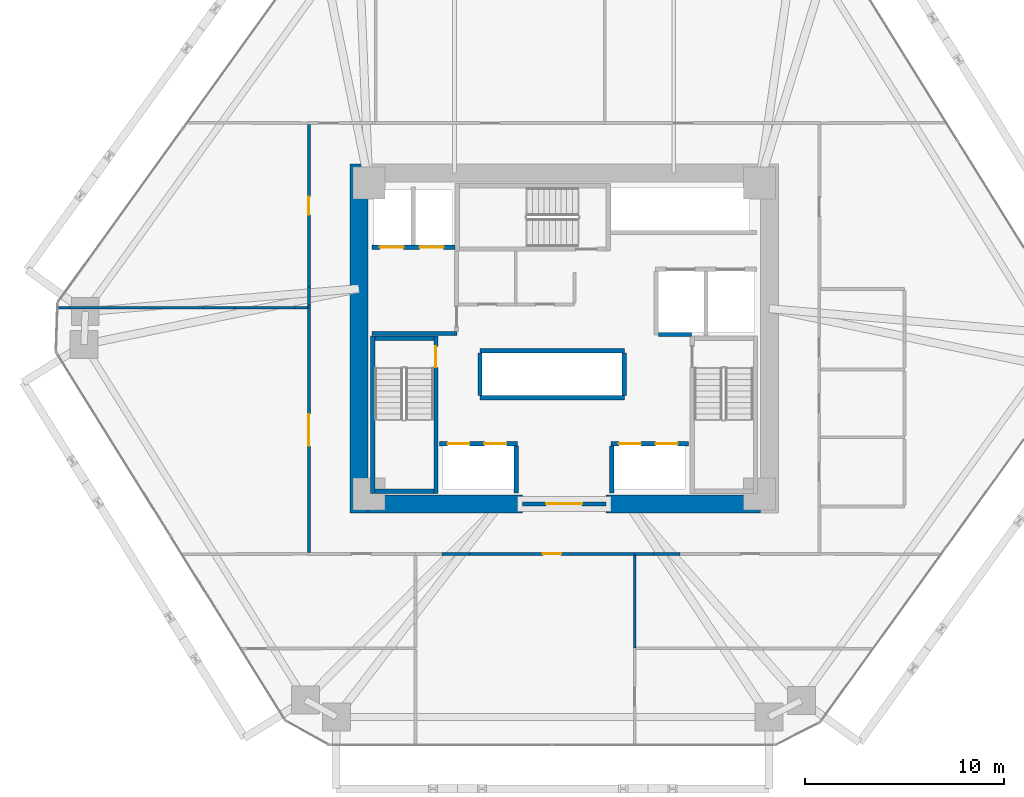
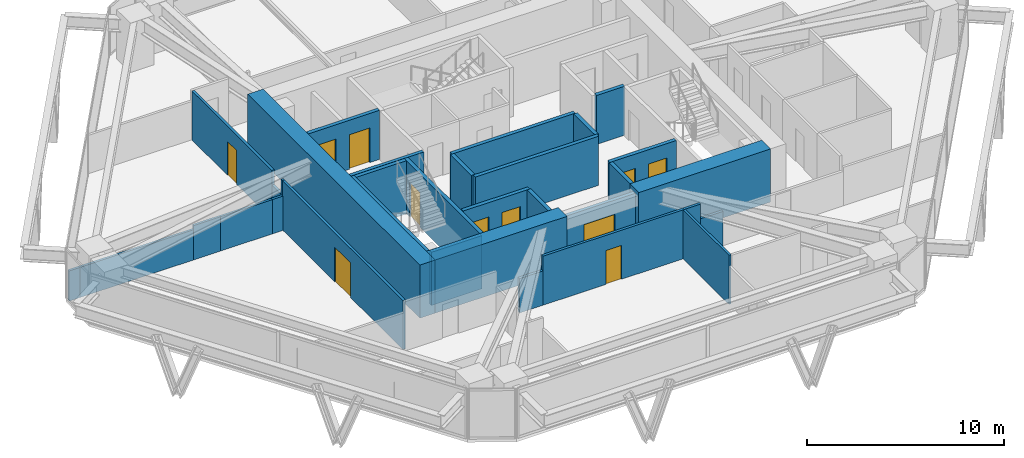
# One storey, part 11 of 14: 33 walls, 11 doors, 11 openings.
"""IFC4 building model written with IfcOpenShell, lengths in metres."""

from ifc_helpers import new_model, si_unit, direction, frame, frame_2d, origin, place, context, subcontext, project, spatial, rectangle, extrude, source, transform, mapped, material, layer, layer_set, type_object, type_shapes, element, fill, save


model = new_model("IFC4")

# Units and contexts
model_context = context("Model", 3, precision=1e-05, world=origin(), true_north=direction((0.0, 1.0)))
body_context = subcontext(model_context, "Body", "Model", "MODEL_VIEW")
ifc_project = project(units=[si_unit("LENGTHUNIT", "METRE"), si_unit("AREAUNIT", "SQUARE_METRE"), si_unit("VOLUMEUNIT", "CUBIC_METRE"), si_unit("PLANEANGLEUNIT", "RADIAN"), si_unit("MASSUNIT", "GRAM", prefix="KILO")], contexts=[model_context])

# Site, building, storey
site_placement = place(None, origin())
site = spatial("IfcSite", under=ifc_project, at=site_placement, CompositionType="ELEMENT")
building_placement = place(site_placement, origin())
building = spatial("IfcBuilding", under=site, at=building_placement, Name="Durnholm Broadcast Tower", CompositionType="ELEMENT")
storey_placement = place(building_placement, frame((0.0, 0.0, 48.89990234375)))
storey = spatial("IfcBuildingStorey", under=building, at=storey_placement, Name="L11", CompositionType="ELEMENT", Elevation=48.89990234375)

# Walls
ifc_material_1 = material(Name="Concrete C70/85", Category="concrete")
ifc_layer_1 = layer(ifc_material_1, 0.89990234375)
ifc_layer_set_1 = layer_set([ifc_layer_1], Name="Concrete C70/85")
wall_type_1 = type_object("IfcWallType", Name="WALL-CW-900", PredefinedType="SHEAR", material=ifc_layer_set_1)
wall_1_placement = place(storey_placement, frame((-10.300048828125, -8.75, 0.0), z_axis=(0.0, 0.0, 1.0), x_axis=(0.0, 1.0, 0.0)))
element("IfcWall", 1, at=wall_1_placement, inside=storey, type_object=wall_type_1, Name="L11 central core shear wall CW-WEST", PredefinedType="SHEAR", context=body_context, shape_type="SweptSolid", body=[
    extrude(rectangle(XDim=17.5, YDim=0.89990234375, at=frame_2d((8.75, 0.0))), origin(), (0.0, 0.0, 1.0), 3.300048828125),
])
for number, where, z_axis, x_axis, name in (
    (2, (-9.85009765625, -8.300048828125, 0.0), (0.0, 0.0, 1.0), (1.0, 0.0, 0.0), "L11 central core shear wall CW-S1"),
    (3, (2.10009765625, -8.300048828125, 0.0), (0.0, 0.0, 1.0), (1.0, 0.0, 0.0), "L11 central core shear wall CW-S2"),
):
    element("IfcWall", number, at=place(storey_placement, frame(where, z_axis=z_axis, x_axis=x_axis)), inside=storey, type_object=wall_type_1, Name=name, PredefinedType="SHEAR", context=body_context, shape_type="SweptSolid", body=[
        extrude(rectangle(XDim=7.75, YDim=0.89990234375, at=frame_2d((3.875, 0.0))), origin(), (0.0, 0.0, 1.0), 3.300048828125),
    ])

# Wall, opening, door
ifc_material_2 = material(Name="Fire-Rated Gypsum Shaftwall", Category="concrete")
ifc_layer_2 = layer(ifc_material_2, 0.199951171875)
ifc_layer_set_2 = layer_set([ifc_layer_2], Name="Fire-Rated Gypsum Shaftwall")
wall_type_2 = type_object("IfcWallType", Name="WALL-LOB-200", PredefinedType="SOLIDWALL", material=ifc_layer_set_2)
wall_2_placement = place(storey_placement, frame((-2.10009765625, -8.300048828125, 0.0), z_axis=(0.0, 0.0, 1.0), x_axis=(1.0, 0.0, 0.0)))
wall_2 = element("IfcWall", 4, at=wall_2_placement, inside=storey, type_object=wall_type_2, Name="L11 south core lobby fire screen", PredefinedType="SOLIDWALL", context=body_context, shape_type="SweptSolid", body=[
    extrude(rectangle(XDim=4.2001953125, YDim=0.199951171875, at=frame_2d((2.10009765625, 0.0))), origin(), (0.0, 0.0, 1.0), 3.045166015625),
])
opening_1_placement = place(wall_2_placement, frame((1.199951171875, 0.0, 0.0)))
opening_1 = element("IfcOpeningElement", 5, at=opening_1_placement, cuts=wall_2, Name="Opening DP-60", PredefinedType="OPENING", context=body_context, shape_type="SweptSolid", body=[
    extrude(rectangle(XDim=1.800048828125, YDim=2.14990234375, at=frame_2d((0.89990234375, 1.074951171875))), frame((0.0, 0.10986328125, 0.0), z_axis=(0.0, -1.0, 0.0), x_axis=(1.0, 0.0, 0.0)), (0.0, 0.0, 1.0), 0.219970703125),
])
ifc_material_3 = material(Name="Fire-Rated Double Corridor Door", Category="steel")
ifc_layer_3 = layer(ifc_material_3, 0.050048828125)
ifc_layer_set_3 = layer_set([ifc_layer_3], Name="Fire-Rated Double Corridor Door")
door_type_1 = type_object("IfcDoorType", Name="DOOR-PAIR-FD60", OperationType="DOUBLE_DOOR_SINGLE_SWING", PredefinedType="DOOR", material=ifc_layer_set_3)
shared_shape_1 = source(origin(), body_context, "Body", "SweptSolid", [
    extrude(rectangle(XDim=1.800048828125, YDim=2.14990234375, at=frame_2d((0.89990234375, 1.074951171875))), frame((0.0, 0.02490234375, 0.0), z_axis=(0.0, -1.0, 0.0), x_axis=(1.0, 0.0, 0.0)), (0.0, 0.0, 1.0), 0.050048828125),
])
type_shapes(door_type_1, [shared_shape_1])
door_1_placement = place(opening_1_placement, origin())
door_1 = element("IfcDoor", 6, at=door_1_placement, inside=storey, type_object=door_type_1, Name="L11 south core lobby double fire door", OperationType="DOUBLE_DOOR_SINGLE_SWING", OverallHeight=2.14990234375, OverallWidth=1.800048828125, PredefinedType="DOOR", context=body_context, shape_type="MappedRepresentation", body=[
    mapped(shared_shape_1, transform((0.0, 0.0, 0.0), x_axis=(1.0, 0.0, 0.0), y_axis=(0.0, 1.0, 0.0), z_axis=(0.0, 0.0, 1.0), scale=1.0)),
])
fill(opening_1, door_1)

# Walls
wall_3_placement = place(storey_placement, frame((-9.64990234375, 0.25, 0.0), z_axis=(0.0, 0.0, 1.0), x_axis=(1.0, 0.0, 0.0)))
element("IfcWall", 7, at=wall_3_placement, inside=storey, type_object=wall_type_2, Name="L11 Fire Service Access Elevator lobby south wall", PredefinedType="SOLIDWALL", context=body_context, shape_type="SweptSolid", body=[
    extrude(rectangle(XDim=4.27001953125, YDim=0.199951171875, at=frame_2d((2.135009765625, 0.0))), origin(), (0.0, 0.0, 1.0), 3.045166015625),
])
ifc_material_4 = material(Name="Gypsum Metal Stud Partition", Category="concrete")
ifc_layer_4 = layer(ifc_material_4, 0.135009765625)
ifc_layer_set_4 = layer_set([ifc_layer_4], Name="Gypsum Metal Stud Partition")
wall_type_3 = type_object("IfcWallType", Name="WALL-PART-135", PredefinedType="PARTITIONING", material=ifc_layer_set_4)
wall_4_placement = place(storey_placement, frame((3.5400390625, -10.888916015625, 0.0), z_axis=(0.0, 0.0, 1.0), x_axis=(0.0, -1.0, 0.0)))
element("IfcWall", 8, at=wall_4_placement, inside=storey, type_object=wall_type_3, Name="L11 room dividing partition 11.13", PredefinedType="PARTITIONING", context=body_context, shape_type="SweptSolid", body=[
    extrude(rectangle(XDim=4.656005859375, YDim=0.135009765625, at=frame_2d((2.328125, 0.0))), origin(), (0.0, 0.0, 1.0), 3.045166015625),
])
wall_5_placement = place(storey_placement, frame((-25.42919921875, 1.54150390625, 0.0), z_axis=(0.0, 0.0, 1.0), x_axis=(0.999999923706, -0.00039062497, 0.0)))
element("IfcWall", 9, at=wall_5_placement, inside=storey, type_object=wall_type_3, Name="L11 room dividing partition 14.15", PredefinedType="PARTITIONING", context=body_context, shape_type="SweptSolid", body=[
    extrude(rectangle(XDim=0.625, YDim=0.135009765625, at=frame_2d((0.3125, 0.0))), origin(), (0.0, 0.0, 1.0), 1.877197265625),
])
wall_6_placement = place(storey_placement, frame((-18.12060546875, 1.54052734375, 0.0), z_axis=(0.0, 0.0, 1.0), x_axis=(0.999999988, -0.000154918666, 0.0)))
element("IfcWall", 10, at=wall_6_placement, inside=storey, type_object=wall_type_3, Name="L11 room dividing partition 14.15", PredefinedType="PARTITIONING", context=body_context, shape_type="SweptSolid", body=[
    extrude(rectangle(XDim=1.575927734375, YDim=0.135009765625, at=frame_2d((0.7880859375, 0.0))), origin(), (0.0, 0.0, 1.0), 2.130126953125),
])
wall_7_placement = place(storey_placement, frame((-13.510498046875, 1.5400390625, 0.0), z_axis=(0.0, 0.0, 1.0), x_axis=(1.0, 0.0, 0.0)))
element("IfcWall", 11, at=wall_7_placement, inside=storey, type_object=wall_type_3, Name="L11 room dividing partition 14.15", PredefinedType="PARTITIONING", context=body_context, shape_type="SweptSolid", body=[
    extrude(rectangle(XDim=0.62158203125, YDim=0.135009765625, at=frame_2d((0.310791015625, 0.0))), origin(), (0.0, 0.0, 1.0), 2.130126953125),
])
wall_8_placement = place(storey_placement, frame((-24.80419921875, 1.541259765625, 0.0), z_axis=(0.0, 0.0, 1.0), x_axis=(0.999999993996, -0.000109585037, 0.0)))
element("IfcWall", 12, at=wall_8_placement, inside=storey, type_object=wall_type_3, Name="L11 room dividing partition 14.15", PredefinedType="PARTITIONING", context=body_context, shape_type="SweptSolid", body=[
    extrude(rectangle(XDim=6.68359375, YDim=0.135009765625, at=frame_2d((3.341796875, 0.0))), origin(), (0.0, 0.0, 1.0), 1.877197265625),
])
wall_9_placement = place(storey_placement, frame((-16.544677734375, 1.540283203125, 0.0), z_axis=(0.0, 0.0, 1.0), x_axis=(0.999999996763, -8.0463469e-05, 0.0)))
element("IfcWall", 13, at=wall_9_placement, inside=storey, type_object=wall_type_3, Name="L11 room dividing partition 14.15", PredefinedType="PARTITIONING", context=body_context, shape_type="SweptSolid", body=[
    extrude(rectangle(XDim=3.0341796875, YDim=0.135009765625, at=frame_2d((1.51708984375, 0.0))), origin(), (0.0, 0.0, 1.0), 2.130126953125),
])

# Wall, opening, door
ifc_material_5 = material(Name="Acoustic Gypsum Stud Partition", Category="concrete")
ifc_layer_5 = layer(ifc_material_5, 0.14990234375)
ifc_layer_set_5 = layer_set([ifc_layer_5], Name="Acoustic Gypsum Stud Partition")
wall_type_4 = type_object("IfcWallType", Name="WALL-PART-150", PredefinedType="PARTITIONING", material=ifc_layer_set_5)
wall_10_placement = place(storey_placement, frame((-4.749755859375, -10.81005859375, 0.0), z_axis=(0.0, 0.0, 1.0), x_axis=(1.0, 0.0, 0.0)))
wall_10 = element("IfcWall", 14, at=wall_10_placement, inside=storey, type_object=wall_type_4, Name="L11 Commentary Lounge corridor partition", PredefinedType="PARTITIONING", context=body_context, shape_type="SweptSolid", body=[
    extrude(rectangle(XDim=8.289794921875, YDim=0.14990234375, at=frame_2d((4.14501953125, 0.0))), origin(), (0.0, 0.0, 1.0), 3.045166015625),
])
opening_2_placement = place(wall_10_placement, frame((3.684814453125, 0.0, 0.0)))
opening_2 = element("IfcOpeningElement", 15, at=opening_2_placement, cuts=wall_10, Name="Opening DR-92L", PredefinedType="OPENING", context=body_context, shape_type="SweptSolid", body=[
    extrude(rectangle(XDim=0.919921875, YDim=2.10009765625, at=frame_2d((0.4599609375, 1.050048828125))), frame((0.0, 0.0849609375, 0.0), z_axis=(0.0, -1.0, 0.0), x_axis=(1.0, 0.0, 0.0)), (0.0, 0.0, 1.0), 0.169921875),
])
ifc_material_6 = material(Name="Oak Veneer Office Door", Category="wood")
ifc_layer_6 = layer(ifc_material_6, 0.050048828125)
ifc_layer_set_6 = layer_set([ifc_layer_6], Name="Oak Veneer Office Door")
door_type_2 = type_object("IfcDoorType", Name="DOOR-RM-920L", OperationType="NOTDEFINED", PredefinedType="DOOR", material=ifc_layer_set_6)
shared_shape_2 = source(origin(), body_context, "Body", "SweptSolid", [
    extrude(rectangle(XDim=0.919921875, YDim=2.10009765625, at=frame_2d((0.4599609375, 1.050048828125))), frame((0.0, 0.02490234375, 0.0), z_axis=(0.0, -1.0, 0.0), x_axis=(1.0, 0.0, 0.0)), (0.0, 0.0, 1.0), 0.050048828125),
])
type_shapes(door_type_2, [shared_shape_2])
door_2_placement = place(opening_2_placement, origin())
door_2 = element("IfcDoor", 16, at=door_2_placement, inside=storey, type_object=door_type_2, Name="L11 Commentary Lounge entrance door", OperationType="SINGLE_SWING_LEFT", OverallHeight=2.10009765625, OverallWidth=0.919921875, PredefinedType="DOOR", context=body_context, shape_type="MappedRepresentation", body=[
    mapped(shared_shape_2, transform((0.0, 0.0, 0.0), x_axis=(1.0, 0.0, 0.0), y_axis=(0.0, 1.0, 0.0), z_axis=(0.0, 0.0, 1.0), scale=1.0)),
])
fill(opening_2, door_2)

# Walls
wall_11_placement = place(storey_placement, frame((-6.12158203125, -10.81005859375, 0.0), z_axis=(0.0, 0.0, 1.0), x_axis=(1.0, 0.0, 0.0)))
element("IfcWall", 17, at=wall_11_placement, inside=storey, type_object=wall_type_4, Name="L11 Commentary Lounge corridor partition", PredefinedType="PARTITIONING", context=body_context, shape_type="SweptSolid", body=[
    extrude(rectangle(XDim=1.371826171875, YDim=0.14990234375, at=frame_2d((0.68603515625, 0.0))), origin(), (0.0, 0.0, 1.0), 2.130126953125),
])
wall_12_placement = place(storey_placement, frame((3.5400390625, -10.81005859375, 0.0), z_axis=(0.0, 0.0, 1.0), x_axis=(1.0, 0.0, 0.0)))
element("IfcWall", 18, at=wall_12_placement, inside=storey, type_object=wall_type_4, Name="L11 Equipment Store corridor partition", PredefinedType="PARTITIONING", context=body_context, shape_type="SweptSolid", body=[
    extrude(rectangle(XDim=0.959228515625, YDim=0.14990234375, at=frame_2d((0.4794921875, 0.0))), origin(), (0.0, 0.0, 1.0), 3.045166015625),
])
wall_13_placement = place(storey_placement, frame((4.499267578125, -10.81005859375, 0.0), z_axis=(0.0, 0.0, 1.0), x_axis=(1.0, 0.0, 0.0)))
element("IfcWall", 19, at=wall_13_placement, inside=storey, type_object=wall_type_4, Name="L11 Equipment Store corridor partition", PredefinedType="PARTITIONING", context=body_context, shape_type="SweptSolid", body=[
    extrude(rectangle(XDim=1.318115234375, YDim=0.14990234375, at=frame_2d((0.6591796875, 0.0))), origin(), (0.0, 0.0, 1.0), 2.130126953125),
])

# Wall, opening, door
wall_14_placement = place(storey_placement, frame((-12.81005859375, 1.5400390625, 0.0), z_axis=(0.0, 0.0, 1.0), x_axis=(0.0, -1.0, 0.0)))
wall_14 = element("IfcWall", 20, at=wall_14_placement, inside=storey, type_object=wall_type_4, Name="L11 Sports Broadcast Hall corridor partition", PredefinedType="PARTITIONING", context=body_context, shape_type="SweptSolid", body=[
    extrude(rectangle(XDim=12.27099609375, YDim=0.14990234375, at=frame_2d((6.135498046875, 0.0))), origin(), (0.0, 0.0, 1.0), 3.045166015625),
])
opening_3_placement = place(wall_14_placement, frame((5.33544921875, 0.0, 0.0)))
opening_3 = element("IfcOpeningElement", 21, at=opening_3_placement, cuts=wall_14, Name="Opening DST-160", PredefinedType="OPENING", context=body_context, shape_type="SweptSolid", body=[
    extrude(rectangle(XDim=1.60009765625, YDim=2.14990234375, at=frame_2d((0.800048828125, 1.074951171875))), frame((0.0, 0.0849609375, 0.0), z_axis=(0.0, -1.0, 0.0), x_axis=(1.0, 0.0, 0.0)), (0.0, 0.0, 1.0), 0.169921875),
])
ifc_material_7 = material(Name="Acoustic Broadcast Studio Sound-Lock Door", Category="steel")
ifc_layer_7 = layer(ifc_material_7, 0.050048828125)
ifc_layer_set_7 = layer_set([ifc_layer_7], Name="Acoustic Broadcast Studio Sound-Lock Door")
door_type_3 = type_object("IfcDoorType", Name="DOOR-STU-1600", OperationType="DOUBLE_DOOR_SINGLE_SWING", PredefinedType="DOOR", material=ifc_layer_set_7)
shared_shape_3 = source(origin(), body_context, "Body", "SweptSolid", [
    extrude(rectangle(XDim=1.60009765625, YDim=2.14990234375, at=frame_2d((0.800048828125, 1.074951171875))), frame((0.0, 0.02490234375, 0.0), z_axis=(0.0, -1.0, 0.0), x_axis=(1.0, 0.0, 0.0)), (0.0, 0.0, 1.0), 0.050048828125),
])
type_shapes(door_type_3, [shared_shape_3])
door_3_placement = place(opening_3_placement, origin())
door_3 = element("IfcDoor", 22, at=door_3_placement, inside=storey, type_object=door_type_3, Name="L11 Sports Broadcast Hall entrance door", OperationType="DOUBLE_DOOR_SINGLE_SWING", OverallHeight=2.14990234375, OverallWidth=1.60009765625, PredefinedType="DOOR", context=body_context, shape_type="MappedRepresentation", body=[
    mapped(shared_shape_3, transform((0.0, 0.0, 0.0), x_axis=(1.0, 0.0, 0.0), y_axis=(0.0, 1.0, 0.0), z_axis=(0.0, 0.0, 1.0), scale=1.0)),
])
fill(opening_3, door_3)

wall_15_placement = place(storey_placement, frame((-12.81005859375, 10.73095703125, 0.0), z_axis=(0.0, 0.0, 1.0), x_axis=(0.0, -1.0, 0.0)))
wall_15 = element("IfcWall", 23, at=wall_15_placement, inside=storey, type_object=wall_type_4, Name="L11 Replay Meeting Room corridor partition", PredefinedType="PARTITIONING", context=body_context, shape_type="SweptSolid", body=[
    extrude(rectangle(XDim=8.138671875, YDim=0.14990234375, at=frame_2d((4.0693359375, 0.0))), origin(), (0.0, 0.0, 1.0), 3.045166015625),
])
opening_4_placement = place(wall_15_placement, frame((3.609375, 0.0, 0.0)))
opening_4 = element("IfcOpeningElement", 24, at=opening_4_placement, cuts=wall_15, Name="Opening DR-92L", PredefinedType="OPENING", context=body_context, shape_type="SweptSolid", body=[
    extrude(rectangle(XDim=0.919921875, YDim=2.10009765625, at=frame_2d((0.4599609375, 1.050048828125))), frame((0.0, 0.0849609375, 0.0), z_axis=(0.0, -1.0, 0.0), x_axis=(1.0, 0.0, 0.0)), (0.0, 0.0, 1.0), 0.169921875),
])
door_4_placement = place(opening_4_placement, origin())
door_4 = element("IfcDoor", 25, at=door_4_placement, inside=storey, type_object=door_type_2, Name="L11 Replay Meeting Room entrance door", OperationType="SINGLE_SWING_LEFT", OverallHeight=2.10009765625, OverallWidth=0.919921875, PredefinedType="DOOR", context=body_context, shape_type="MappedRepresentation", body=[
    mapped(shared_shape_2, transform((0.0, 0.0, 0.0), x_axis=(1.0, 0.0, 0.0), y_axis=(0.0, 1.0, 0.0), z_axis=(0.0, 0.0, 1.0), scale=1.0)),
])
fill(opening_4, door_4)

# Walls
wall_16_placement = place(storey_placement, frame((-12.81005859375, 1.682373046875, 0.0), z_axis=(0.0, 0.0, 1.0), x_axis=(0.0, -1.0, 0.0)))
element("IfcWall", 26, at=wall_16_placement, inside=storey, type_object=wall_type_4, Name="L11 Replay Meeting Room corridor partition", PredefinedType="PARTITIONING", context=body_context, shape_type="SweptSolid", body=[
    extrude(rectangle(XDim=0.142333984375, YDim=0.14990234375, at=frame_2d((0.0712890625, 0.0))), origin(), (0.0, 0.0, 1.0), 3.045166015625),
])
wall_17_placement = place(storey_placement, frame((-12.81005859375, 2.59228515625, 0.0), z_axis=(0.0, 0.0, 1.0), x_axis=(0.0, -1.0, 0.0)))
element("IfcWall", 27, at=wall_17_placement, inside=storey, type_object=wall_type_4, Name="L11 Replay Meeting Room corridor partition", PredefinedType="PARTITIONING", context=body_context, shape_type="SweptSolid", body=[
    extrude(rectangle(XDim=0.909912109375, YDim=0.14990234375, at=frame_2d((0.455078125, 0.0))), origin(), (0.0, 0.0, 1.0), 2.130126953125),
])

# Wall, openings, doors
ifc_material_8 = material(Name="Concrete Blockwork C30/37", Category="masonry")
ifc_layer_8 = layer(ifc_material_8, 0.219970703125)
ifc_layer_set_8 = layer_set([ifc_layer_8], Name="Concrete Blockwork C30/37")
wall_type_5 = type_object("IfcWallType", Name="WALL-SHAFT-220", PredefinedType="SOLIDWALL", material=ifc_layer_set_8)
wall_18_placement = place(storey_placement, frame((-9.64990234375, 4.580078125, 0.0), z_axis=(0.0, 0.0, 1.0), x_axis=(1.0, 0.0, 0.0)))
wall_18 = element("IfcWall", 28, at=wall_18_placement, inside=storey, type_object=wall_type_5, Name="L11 FSAE hoistway front fire wall", PredefinedType="SOLIDWALL", context=body_context, shape_type="SweptSolid", body=[
    extrude(rectangle(XDim=4.1748046875, YDim=0.219970703125, at=frame_2d((2.08740234375, 0.0))), origin(), (0.0, 0.0, 1.0), 3.045166015625),
])
opening_5_placement = place(wall_18_placement, frame((0.39990234375, 0.0, 0.0)))
opening_5 = element("IfcOpeningElement", 29, at=opening_5_placement, cuts=wall_18, Name="Opening LD-FSAE-2", PredefinedType="OPENING", context=body_context, shape_type="SweptSolid", body=[
    extrude(rectangle(XDim=1.199951171875, YDim=2.14990234375, at=frame_2d((0.60009765625, 1.074951171875))), frame((0.0, 0.1201171875, 0.0), z_axis=(0.0, -1.0, 0.0), x_axis=(1.0, 0.0, 0.0)), (0.0, 0.0, 1.0), 0.239990234375),
])
opening_6_placement = place(wall_18_placement, frame((2.39990234375, 0.0, 0.0)))
opening_6 = element("IfcOpeningElement", 30, at=opening_6_placement, cuts=wall_18, Name="Opening LD-FSAE-1", PredefinedType="OPENING", context=body_context, shape_type="SweptSolid", body=[
    extrude(rectangle(XDim=1.199951171875, YDim=2.14990234375, at=frame_2d((0.60009765625, 1.074951171875))), frame((0.0, 0.1201171875, 0.0), z_axis=(0.0, -1.0, 0.0), x_axis=(1.0, 0.0, 0.0)), (0.0, 0.0, 1.0), 0.239990234375),
])
ifc_material_9 = material(Name="Fire Service Access Sliding Landing Door", Category="steel")
ifc_layer_9 = layer(ifc_material_9, 0.050048828125)
ifc_layer_set_9 = layer_set([ifc_layer_9], Name="Fire Service Access Sliding Landing Door")
door_type_4 = type_object("IfcDoorType", Name="DOOR-LIFT-FSAE", OperationType="DOUBLE_DOOR_SLIDING", PredefinedType="DOOR", material=ifc_layer_set_9)
shared_shape_4 = source(origin(), body_context, "Body", "SweptSolid", [
    extrude(rectangle(XDim=1.199951171875, YDim=2.14990234375, at=frame_2d((0.60009765625, 1.074951171875))), frame((0.0, 0.02490234375, 0.0), z_axis=(0.0, -1.0, 0.0), x_axis=(1.0, 0.0, 0.0)), (0.0, 0.0, 1.0), 0.050048828125),
])
type_shapes(door_type_4, [shared_shape_4])
door_5_placement = place(opening_5_placement, origin())
door_5 = element("IfcDoor", 31, at=door_5_placement, inside=storey, type_object=door_type_4, Name="L11 Fire Service Access Elevator FSAE-2 sliding landing door", OperationType="DOUBLE_DOOR_SLIDING", OverallHeight=2.14990234375, OverallWidth=1.199951171875, PredefinedType="DOOR", context=body_context, shape_type="MappedRepresentation", body=[
    mapped(shared_shape_4, transform((0.0, 0.0, 0.0), x_axis=(1.0, 0.0, 0.0), y_axis=(0.0, 1.0, 0.0), z_axis=(0.0, 0.0, 1.0), scale=1.0)),
])
fill(opening_5, door_5)
door_6_placement = place(opening_6_placement, origin())
door_6 = element("IfcDoor", 32, at=door_6_placement, inside=storey, type_object=door_type_4, Name="L11 Fire Service Access Elevator FSAE-1 sliding landing door", OperationType="DOUBLE_DOOR_SLIDING", OverallHeight=2.14990234375, OverallWidth=1.199951171875, PredefinedType="DOOR", context=body_context, shape_type="MappedRepresentation", body=[
    mapped(shared_shape_4, transform((0.0, 0.0, 0.0), x_axis=(1.0, 0.0, 0.0), y_axis=(0.0, 1.0, 0.0), z_axis=(0.0, 0.0, 1.0), scale=1.0)),
])
fill(opening_6, door_6)

# Wall
wall_19_placement = place(storey_placement, frame((4.73388671875, 0.199951171875, 0.0), z_axis=(0.0, 0.0, 1.0), x_axis=(1.0, 0.0, 0.0)))
element("IfcWall", 33, at=wall_19_placement, inside=storey, type_object=wall_type_5, Name="L11 freight service lift SVL-2 south wall", PredefinedType="SOLIDWALL", context=body_context, shape_type="SweptSolid", body=[
    extrude(rectangle(XDim=1.666015625, YDim=0.219970703125, at=frame_2d((0.8330078125, 0.0))), origin(), (0.0, 0.0, 1.0), 3.045166015625),
])

# Wall, openings, doors
wall_20_placement = place(storey_placement, frame((-6.25, -5.280029296875, 0.0), z_axis=(0.0, 0.0, 1.0), x_axis=(1.0, 0.0, 0.0)))
wall_20 = element("IfcWall", 34, at=wall_20_placement, inside=storey, type_object=wall_type_5, Name="L11 low-rise bank P1 west front wall", PredefinedType="SOLIDWALL", context=body_context, shape_type="SweptSolid", body=[
    extrude(rectangle(XDim=3.89990234375, YDim=0.219970703125, at=frame_2d((1.949951171875, 0.0))), origin(), (0.0, 0.0, 1.0), 3.045166015625),
])
opening_7_placement = place(wall_20_placement, frame((0.39990234375, 0.0, 0.0)))
opening_7 = element("IfcOpeningElement", 35, at=opening_7_placement, cuts=wall_20, Name="Opening LD-LP1-1", PredefinedType="OPENING", context=body_context, shape_type="SweptSolid", body=[
    extrude(rectangle(XDim=1.10009765625, YDim=2.14990234375, at=frame_2d((0.550048828125, 1.074951171875))), frame((0.0, 0.1201171875, 0.0), z_axis=(0.0, -1.0, 0.0), x_axis=(1.0, 0.0, 0.0)), (0.0, 0.0, 1.0), 0.239990234375),
])
opening_8_placement = place(wall_20_placement, frame((2.25, 0.0, 0.0)))
opening_8 = element("IfcOpeningElement", 36, at=opening_8_placement, cuts=wall_20, Name="Opening LD-LP1-2", PredefinedType="OPENING", context=body_context, shape_type="SweptSolid", body=[
    extrude(rectangle(XDim=1.10009765625, YDim=2.14990234375, at=frame_2d((0.550048828125, 1.074951171875))), frame((0.0, 0.1201171875, 0.0), z_axis=(0.0, -1.0, 0.0), x_axis=(1.0, 0.0, 0.0)), (0.0, 0.0, 1.0), 0.239990234375),
])
ifc_material_10 = material(Name="Stainless Steel Sliding Elevator Landing Door", Category="steel")
ifc_layer_10 = layer(ifc_material_10, 0.050048828125)
ifc_layer_set_10 = layer_set([ifc_layer_10], Name="Stainless Steel Sliding Elevator Landing Door")
door_type_5 = type_object("IfcDoorType", Name="DOOR-LIFT-PAX", OperationType="DOUBLE_DOOR_SLIDING", PredefinedType="DOOR", material=ifc_layer_set_10)
shared_shape_5 = source(origin(), body_context, "Body", "SweptSolid", [
    extrude(rectangle(XDim=1.10009765625, YDim=2.14990234375, at=frame_2d((0.550048828125, 1.074951171875))), frame((0.0, 0.02490234375, 0.0), z_axis=(0.0, -1.0, 0.0), x_axis=(1.0, 0.0, 0.0)), (0.0, 0.0, 1.0), 0.050048828125),
])
type_shapes(door_type_5, [shared_shape_5])
door_7_placement = place(opening_7_placement, origin())
door_7 = element("IfcDoor", 37, at=door_7_placement, inside=storey, type_object=door_type_5, Name="L11 passenger elevator LP1-1 sliding landing door", OperationType="DOUBLE_DOOR_SLIDING", OverallHeight=2.14990234375, OverallWidth=1.10009765625, PredefinedType="DOOR", context=body_context, shape_type="MappedRepresentation", body=[
    mapped(shared_shape_5, transform((0.0, 0.0, 0.0), x_axis=(1.0, 0.0, 0.0), y_axis=(0.0, 1.0, 0.0), z_axis=(0.0, 0.0, 1.0), scale=1.0)),
])
fill(opening_7, door_7)
door_8_placement = place(opening_8_placement, origin())
door_8 = element("IfcDoor", 38, at=door_8_placement, inside=storey, type_object=door_type_5, Name="L11 passenger elevator LP1-2 sliding landing door", OperationType="DOUBLE_DOOR_SLIDING", OverallHeight=2.14990234375, OverallWidth=1.10009765625, PredefinedType="DOOR", context=body_context, shape_type="MappedRepresentation", body=[
    mapped(shared_shape_5, transform((0.0, 0.0, 0.0), x_axis=(1.0, 0.0, 0.0), y_axis=(0.0, 1.0, 0.0), z_axis=(0.0, 0.0, 1.0), scale=1.0)),
])
fill(opening_8, door_8)

wall_21_placement = place(storey_placement, frame((2.35009765625, -5.280029296875, 0.0), z_axis=(0.0, 0.0, 1.0), x_axis=(1.0, 0.0, 0.0)))
wall_21 = element("IfcWall", 39, at=wall_21_placement, inside=storey, type_object=wall_type_5, Name="L11 low-rise bank P1 east front wall", PredefinedType="SOLIDWALL", context=body_context, shape_type="SweptSolid", body=[
    extrude(rectangle(XDim=3.89990234375, YDim=0.219970703125, at=frame_2d((1.949951171875, 0.0))), origin(), (0.0, 0.0, 1.0), 3.045166015625),
])
opening_9_placement = place(wall_21_placement, frame((0.39990234375, 0.0, 0.0)))
opening_9 = element("IfcOpeningElement", 40, at=opening_9_placement, cuts=wall_21, Name="Opening LD-LP1-3", PredefinedType="OPENING", context=body_context, shape_type="SweptSolid", body=[
    extrude(rectangle(XDim=1.10009765625, YDim=2.14990234375, at=frame_2d((0.550048828125, 1.074951171875))), frame((0.0, 0.1201171875, 0.0), z_axis=(0.0, -1.0, 0.0), x_axis=(1.0, 0.0, 0.0)), (0.0, 0.0, 1.0), 0.239990234375),
])
opening_10_placement = place(wall_21_placement, frame((2.25, 0.0, 0.0)))
opening_10 = element("IfcOpeningElement", 41, at=opening_10_placement, cuts=wall_21, Name="Opening LD-LP1-4", PredefinedType="OPENING", context=body_context, shape_type="SweptSolid", body=[
    extrude(rectangle(XDim=1.10009765625, YDim=2.14990234375, at=frame_2d((0.550048828125, 1.074951171875))), frame((0.0, 0.1201171875, 0.0), z_axis=(0.0, -1.0, 0.0), x_axis=(1.0, 0.0, 0.0)), (0.0, 0.0, 1.0), 0.239990234375),
])
door_9_placement = place(opening_9_placement, origin())
door_9 = element("IfcDoor", 42, at=door_9_placement, inside=storey, type_object=door_type_5, Name="L11 passenger elevator LP1-3 sliding landing door", OperationType="DOUBLE_DOOR_SLIDING", OverallHeight=2.14990234375, OverallWidth=1.10009765625, PredefinedType="DOOR", context=body_context, shape_type="MappedRepresentation", body=[
    mapped(shared_shape_5, transform((0.0, 0.0, 0.0), x_axis=(1.0, 0.0, 0.0), y_axis=(0.0, 1.0, 0.0), z_axis=(0.0, 0.0, 1.0), scale=1.0)),
])
fill(opening_9, door_9)
door_10_placement = place(opening_10_placement, origin())
door_10 = element("IfcDoor", 43, at=door_10_placement, inside=storey, type_object=door_type_5, Name="L11 passenger elevator LP1-4 sliding landing door", OperationType="DOUBLE_DOOR_SLIDING", OverallHeight=2.14990234375, OverallWidth=1.10009765625, PredefinedType="DOOR", context=body_context, shape_type="MappedRepresentation", body=[
    mapped(shared_shape_5, transform((0.0, 0.0, 0.0), x_axis=(1.0, 0.0, 0.0), y_axis=(0.0, 1.0, 0.0), z_axis=(0.0, 0.0, 1.0), scale=1.0)),
])
fill(opening_10, door_10)

# Walls
for number, where, z_axis, x_axis, name in (
    (44, (-2.39990234375, -7.75, 0.0), (0.0, 0.0, 1.0), (0.0, 1.0, 0.0), "L11 low-rise bank P1 west mouth wall"),
    (45, (2.39990234375, -7.75, 0.0), (0.0, 0.0, 1.0), (0.0, 1.0, 0.0), "L11 low-rise bank P1 east mouth wall"),
):
    element("IfcWall", number, at=place(storey_placement, frame(where, z_axis=z_axis, x_axis=x_axis)), inside=storey, type_object=wall_type_5, Name=name, PredefinedType="SOLIDWALL", context=body_context, shape_type="SweptSolid", body=[
        extrude(rectangle(XDim=2.35595703125, YDim=0.219970703125, at=frame_2d((1.177978515625, 0.0))), origin(), (0.0, 0.0, 1.0), 3.045166015625),
    ])
for number, where, z_axis, x_axis, name in (
    (46, (-4.219970703125, -2.97998046875, 0.0), (0.0, 0.0, 1.0), (1.0, 0.0, 0.0), "L11 mid-rise bank P2 south front wall"),
    (47, (-4.219970703125, -0.6201171875, 0.0), (0.0, 0.0, 1.0), (1.0, 0.0, 0.0), "L11 mid-rise bank P2 north shaft wall"),
):
    element("IfcWall", number, at=place(storey_placement, frame(where, z_axis=z_axis, x_axis=x_axis)), inside=storey, type_object=wall_type_5, Name=name, PredefinedType="SOLIDWALL", context=body_context, shape_type="SweptSolid", body=[
        extrude(rectangle(XDim=7.239990234375, YDim=0.219970703125, at=frame_2d((3.6201171875, 0.0))), origin(), (0.0, 0.0, 1.0), 3.045166015625),
    ])
for number, where, z_axis, x_axis, name in (
    (48, (-4.219970703125, -2.865966796875, 0.0), (0.0, 0.0, 1.0), (0.0, 1.0, 0.0), "L11 mid-rise bank P2 west shaft wall"),
    (49, (3.02001953125, -2.865966796875, 0.0), (0.0, 0.0, 1.0), (0.0, 1.0, 0.0), "L11 mid-rise bank P2 east shaft wall"),
):
    element("IfcWall", number, at=place(storey_placement, frame(where, z_axis=z_axis, x_axis=x_axis)), inside=storey, type_object=wall_type_5, Name=name, PredefinedType="SOLIDWALL", context=body_context, shape_type="SweptSolid", body=[
        extrude(rectangle(XDim=2.132080078125, YDim=0.219970703125, at=frame_2d((1.06591796875, 0.0))), origin(), (0.0, 0.0, 1.0), 3.045166015625),
    ])

# Wall, opening, door
ifc_material_11 = material(Name="Concrete C50/60", Category="concrete")
ifc_layer_11 = layer(ifc_material_11, 0.219970703125)
ifc_layer_set_11 = layer_set([ifc_layer_11], Name="Concrete C50/60")
wall_type_6 = type_object("IfcWallType", Name="WALL-SW-220", PredefinedType="SHEAR", material=ifc_layer_set_11)
wall_22_placement = place(storey_placement, frame((-6.429931640625, -7.77001953125, -0.239990234375), z_axis=(0.0, 0.0, 1.0), x_axis=(0.0, 1.0, 0.0)))
wall_22 = element("IfcWall", 50, at=wall_22_placement, inside=storey, type_object=wall_type_6, Name="L11 stair ST-1 structural shaft wall E", PredefinedType="SHEAR", context=body_context, shape_type="SweptSolid", body=[
    extrude(rectangle(XDim=7.89013671875, YDim=0.219970703125, at=frame_2d((3.945068359375, 0.0))), origin(), (0.0, 0.0, 1.0), 3.300048828125),
])
opening_11_placement = place(wall_22_placement, frame((6.320068359375, 0.0, 0.0)))
opening_11 = element("IfcOpeningElement", 51, at=opening_11_placement, cuts=wall_22, Name="Opening DS-90L", PredefinedType="OPENING", context=body_context, shape_type="SweptSolid", body=[
    extrude(rectangle(XDim=1.050048828125, YDim=2.14990234375, at=frame_2d((0.52490234375, 1.074951171875))), frame((0.0, 0.1201171875, 0.0), z_axis=(0.0, -1.0, 0.0), x_axis=(1.0, 0.0, 0.0)), (0.0, 0.0, 1.0), 0.239990234375),
])
ifc_material_12 = material(Name="Fire-Rated Steel Door", Category="steel")
ifc_layer_12 = layer(ifc_material_12, 0.050048828125)
ifc_layer_set_12 = layer_set([ifc_layer_12], Name="Fire-Rated Steel Door")
door_type_6 = type_object("IfcDoorType", Name="DOOR-ST-FD90-L", OperationType="NOTDEFINED", PredefinedType="DOOR", material=ifc_layer_set_12)
shared_shape_6 = source(origin(), body_context, "Body", "SweptSolid", [
    extrude(rectangle(XDim=1.050048828125, YDim=2.14990234375, at=frame_2d((0.52490234375, 1.074951171875))), frame((0.0, 0.02490234375, 0.0), z_axis=(0.0, -1.0, 0.0), x_axis=(1.0, 0.0, 0.0)), (0.0, 0.0, 1.0), 0.050048828125),
])
type_shapes(door_type_6, [shared_shape_6])
door_11_placement = place(opening_11_placement, origin())
door_11 = element("IfcDoor", 52, at=door_11_placement, inside=storey, type_object=door_type_6, Name="L11 exit stair ST-1 fire door", OperationType="SINGLE_SWING_LEFT", OverallHeight=2.14990234375, OverallWidth=1.050048828125, PredefinedType="DOOR", context=body_context, shape_type="MappedRepresentation", body=[
    mapped(shared_shape_6, transform((0.0, 0.0, 0.0), x_axis=(1.0, 0.0, 0.0), y_axis=(0.0, 1.0, 0.0), z_axis=(0.0, 0.0, 1.0), scale=1.0)),
])
fill(opening_11, door_11)

# Walls
wall_23_placement = place(storey_placement, frame((-9.610107421875, 0.1201171875, -0.239990234375), z_axis=(0.0, 0.0, 1.0), x_axis=(0.0, -1.0, 0.0)))
element("IfcWall", 53, at=wall_23_placement, inside=storey, type_object=wall_type_6, Name="L11 stair ST-1 structural shaft wall W", PredefinedType="SHEAR", context=body_context, shape_type="SweptSolid", body=[
    extrude(rectangle(XDim=7.89013671875, YDim=0.219970703125, at=frame_2d((3.945068359375, 0.0))), origin(), (0.0, 0.0, 1.0), 3.300048828125),
])
for number, where, z_axis, x_axis, name in (
    (54, (-9.5, -7.659912109375, -0.239990234375), (0.0, 0.0, 1.0), (1.0, 0.0, 0.0), "L11 stair ST-1 structural shaft wall S"),
    (55, (-6.5400390625, 0.010009765625, -0.239990234375), (0.0, 0.0, 1.0), (-1.0, 0.0, 0.0), "L11 stair ST-1 structural shaft wall N"),
):
    element("IfcWall", number, at=place(storey_placement, frame(where, z_axis=z_axis, x_axis=x_axis)), inside=storey, type_object=wall_type_6, Name=name, PredefinedType="SHEAR", context=body_context, shape_type="SweptSolid", body=[
        extrude(rectangle(XDim=2.9599609375, YDim=0.219970703125, at=frame_2d((1.47998046875, 0.0))), origin(), (0.0, 0.0, 1.0), 3.300048828125),
    ])

save(model, "model.ifc")
